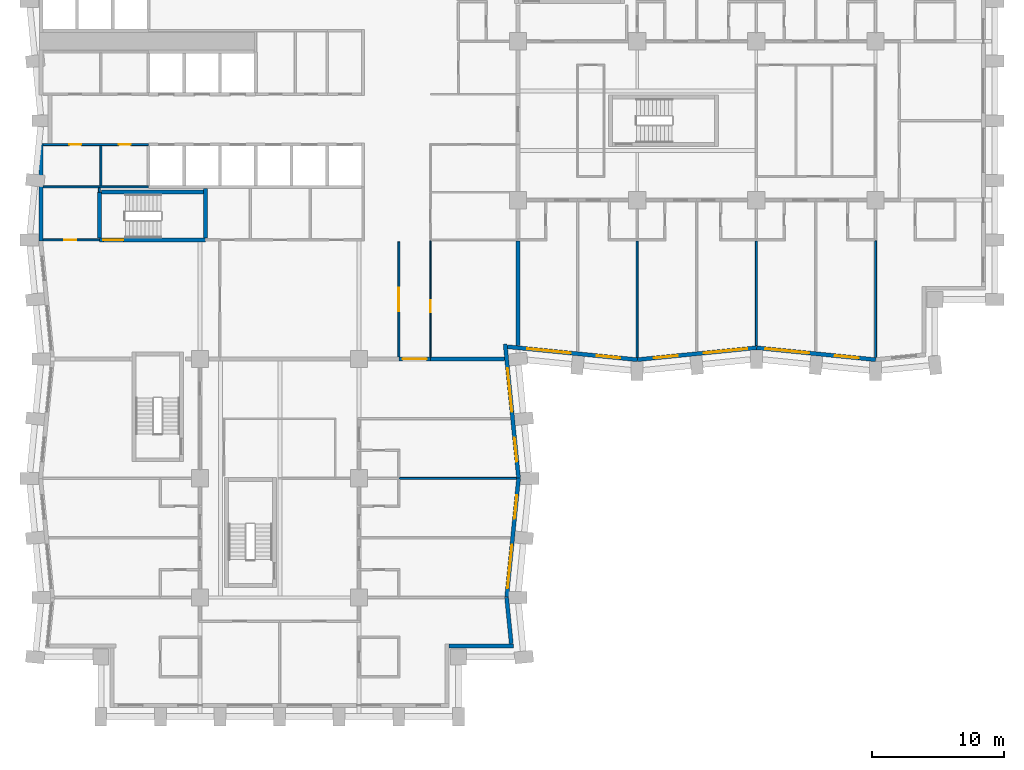
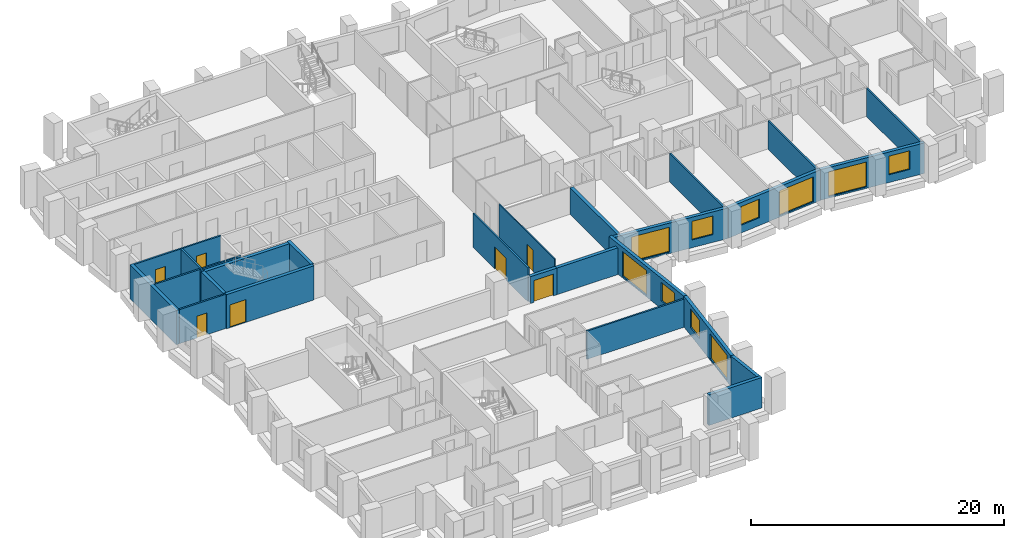
# One storey, part 5 of 13: 26 walls, 10 windows, 7 doors, 17 openings.
"""IFC4 building model written with IfcOpenShell, lengths in metres."""

import ifcopenshell
import ifcopenshell.guid

model = None  # the IFC model being written
_history = None  # IfcOwnerHistory: only IFC2X3 demands one
_inside = {}  # id of a spatial element -> (the spatial element, [elements in it])
_under = {}  # id of a project, library or spatial element -> (it, [spatial elements below it])
_declared = {}  # id of a project -> (the project, [libraries it declares])
_typed = {}  # id of a type object -> (the type object, [elements of that type])
_made_of = {}  # id of a material, layer set ... -> (it, [elements and type objects made of it])


def new_model(schema):
    """Start an empty IFC model of exactly this schema.

    Asked for "IFC4X3", IfcOpenShell would pick the latest addendum, in which some entities
    have other attributes; the version numbers below select the first issue.
    IFC2X3 requires an IfcOwnerHistory on every rooted entity: one is made here for all.
    """
    global model, _history
    if schema == "IFC4X3":
        model = ifcopenshell.file(schema_version=(4, 3, 0, 0))
    else:
        model = ifcopenshell.file(schema=schema)
    _inside.clear()
    _under.clear()
    _declared.clear()
    _typed.clear()
    _made_of.clear()
    _history = None
    if model.schema == "IFC2X3":
        org = make("IfcOrganization", Name="unknown")
        user = make(
            "IfcPersonAndOrganization",
            ThePerson=make("IfcPerson", FamilyName="unknown"),
            TheOrganization=org,
        )
        app = make(
            "IfcApplication",
            ApplicationDeveloper=org,
            Version="unknown",
            ApplicationFullName="unknown",
            ApplicationIdentifier="unknown",
        )
        _history = make(
            "IfcOwnerHistory",
            OwningUser=user,
            OwningApplication=app,
            ChangeAction="ADDED",
            CreationDate=0,
        )
    return model


def make(cls, **values):
    """One entity of the class cls with the attributes given. An attribute that is None is left unset."""
    return model.create_entity(
        cls, **{name: value for name, value in values.items() if value is not None}
    )


def rooted(cls, **values):
    """An entity with a GlobalId (a new one), such as an element, a storey or a relation."""
    return make(cls, GlobalId=ifcopenshell.guid.new(), OwnerHistory=_history, **values)


def si_unit(unit_type, name, prefix=None):
    """IfcSIUnit, for example si_unit("LENGTHUNIT", "METRE", prefix="MILLI")."""
    return make("IfcSIUnit", UnitType=unit_type, Prefix=prefix, Name=name)


def assignment(units):
    """IfcUnitAssignment: the units of a project."""
    return None if units is None else make("IfcUnitAssignment", Units=units)


def point(xyz):
    """IfcCartesianPoint."""
    return None if xyz is None else make("IfcCartesianPoint", Coordinates=xyz)


def direction(xyz):
    """IfcDirection."""
    return None if xyz is None else make("IfcDirection", DirectionRatios=xyz)


def frame(location, z_axis=None, x_axis=None):
    """IfcAxis2Placement3D, a coordinate frame: its origin and axes. An axis left out is left unset."""
    return make(
        "IfcAxis2Placement3D",
        Location=point(location),
        Axis=direction(z_axis),
        RefDirection=direction(x_axis),
    )


def frame_2d(location, x_axis=None):
    """IfcAxis2Placement2D, a coordinate frame in the plane: its origin and x axis."""
    return make(
        "IfcAxis2Placement2D", Location=point(location), RefDirection=direction(x_axis)
    )


def origin():
    """The frame at (0, 0, 0) with its axes left unset."""
    return frame((0.0, 0.0, 0.0))


def place(relative_to, where):
    """IfcLocalPlacement: puts the frame where relative to a parent placement (None: the world)."""
    return make(
        "IfcLocalPlacement", PlacementRelTo=relative_to, RelativePlacement=where
    )


def context(
    kind, dimensions, precision=None, world=None, true_north=None, identifier=None
):
    """IfcGeometricRepresentationContext, for example the 3D "Model" context."""
    return make(
        "IfcGeometricRepresentationContext",
        ContextIdentifier=identifier,
        ContextType=kind,
        CoordinateSpaceDimension=dimensions,
        Precision=precision,
        WorldCoordinateSystem=world,
        TrueNorth=true_north,
    )


def subcontext(parent, identifier, kind, view, scale=None):
    """IfcGeometricRepresentationSubContext, for example "Body" below "Model"."""
    return make(
        "IfcGeometricRepresentationSubContext",
        ContextIdentifier=identifier,
        ContextType=kind,
        ParentContext=parent,
        TargetScale=scale,
        TargetView=view,
    )


def project(units=None, contexts=None):
    """IfcProject with its units and contexts."""
    return rooted(
        "IfcProject",
        Name="project",
        RepresentationContexts=contexts,
        UnitsInContext=assignment(units),
    )


def spatial(cls, under=None, at=None, **own):
    """A site, building, storey or space (cls), placed at a placement, below another one or the project."""
    s = rooted(cls, ObjectPlacement=at, **own)
    if under is not None:
        _under.setdefault(under.id(), (under, []))[1].append(s)
    return s


def profile(cls, at=None, kind="AREA", **sizes):
    """A parametric profile (cls). Its sizes go by their IFC names, for example OverallWidth=200.0."""
    return make(cls, ProfileType=kind, Position=at, **sizes)


def rectangle(**sizes):
    """IfcRectangleProfileDef."""
    return profile("IfcRectangleProfileDef", **sizes)


def extrude(swept, where, along, depth):
    """IfcExtrudedAreaSolid: the profile swept, set in the frame where, extruded along a direction by depth."""
    return make(
        "IfcExtrudedAreaSolid",
        SweptArea=swept,
        Position=where,
        ExtrudedDirection=direction(along),
        Depth=depth,
    )


def shape(context_of_items, identifier, shape_type, items):
    """IfcShapeRepresentation: the items that make up one representation, for example the "Body"."""
    return make(
        "IfcShapeRepresentation",
        ContextOfItems=context_of_items,
        RepresentationIdentifier=identifier,
        RepresentationType=shape_type,
        Items=items,
    )


def material(Name=None, Category=None):
    """IfcMaterial."""
    return make("IfcMaterial", Name=Name, Category=Category)


def layer(
    of_material, thickness, ventilated=None, Name=None, Category=None, Priority=None
):
    """IfcMaterialLayer: one layer of a wall or slab, of a material (None: an air gap)."""
    return make(
        "IfcMaterialLayer",
        Material=of_material,
        LayerThickness=thickness,
        IsVentilated=ventilated,
        Name=Name,
        Category=Category,
        Priority=Priority,
    )


def layer_set(layers, Name=None):
    """IfcMaterialLayerSet."""
    return make("IfcMaterialLayerSet", MaterialLayers=layers, LayerSetName=Name)


def made_of(thing, what):
    """Note that an element or type object is made of a material, layer set ...; save() writes the relation."""
    if what is not None:
        _made_of.setdefault(what.id(), (what, []))[1].append(thing)
    return thing


def type_object(cls, material=None, **own):
    """A type object (cls), such as IfcWallType, which elements share."""
    return made_of(rooted(cls, **own), material)


def element(
    cls,
    number,
    at=None,
    inside=None,
    cuts=None,
    type_object=None,
    material=None,
    context=None,
    identifier="Body",
    shape_type=None,
    held_by="IfcProductDefinitionShape",
    body=None,
    shapes=None,
    **own,
):
    """One element of the class cls, such as IfcWall. Its Tag is "e" and its number.

    at: its placement. inside: the storey or other place that contains it. cuts: it is an
    opening in that element (IfcRelVoidsElement). A single representation is given by context,
    identifier, shape_type and body (its items); several are given by shapes. held_by: the class
    of the entity that holds the representations. save() writes the other relations.
    """
    e = rooted(cls, Tag="e%d" % number, ObjectPlacement=at, **own)
    if body is not None:
        shapes = [shape(context, identifier, shape_type, body)]
    if shapes is not None:
        e.Representation = make(held_by, Representations=shapes)
    if inside is not None:
        _inside.setdefault(inside.id(), (inside, []))[1].append(e)
    if cuts is not None:
        rooted(
            "IfcRelVoidsElement", RelatingBuildingElement=cuts, RelatedOpeningElement=e
        )
    if type_object is not None:
        _typed.setdefault(type_object.id(), (type_object, []))[1].append(e)
    return made_of(e, material)


def fill(opening, filler):
    """IfcRelFillsElement: the door or window that sits in an opening."""
    return rooted(
        "IfcRelFillsElement",
        RelatingOpeningElement=opening,
        RelatedBuildingElement=filler,
    )


def aggregate(whole, parts):
    """IfcRelAggregates: a whole, such as a stair, and the parts it consists of."""
    return rooted("IfcRelAggregates", RelatingObject=whole, RelatedObjects=parts)


def save(model, path):
    """Write the relations noted so far, then the file.

    IfcRelAggregates (storeys below a building ...), IfcRelContainedInSpatialStructure (elements
    in a storey), IfcRelDefinesByType, IfcRelAssociatesMaterial and IfcRelDeclares: one each for
    every whole, place, type object, material and project.
    """
    for whole, parts in _under.values():
        aggregate(whole, parts)
    for where, things in _inside.values():
        rooted(
            "IfcRelContainedInSpatialStructure",
            RelatedElements=things,
            RelatingStructure=where,
        )
    for kind, things in _typed.values():
        rooted("IfcRelDefinesByType", RelatedObjects=things, RelatingType=kind)
    for what, things in _made_of.values():
        rooted("IfcRelAssociatesMaterial", RelatedObjects=things, RelatingMaterial=what)
    for by, libraries in _declared.values():
        rooted("IfcRelDeclares", RelatingContext=by, RelatedDefinitions=libraries)
    model.write(path)


model = new_model("IFC4")

# Units and contexts
model_context = context("Model", 3, precision=1e-05, world=origin(), true_north=direction((0.0, 1.0)))
body_context = subcontext(model_context, "Body", "Model", "MODEL_VIEW")
ifc_project = project(units=[si_unit("LENGTHUNIT", "METRE"), si_unit("AREAUNIT", "SQUARE_METRE"), si_unit("VOLUMEUNIT", "CUBIC_METRE"), si_unit("PLANEANGLEUNIT", "RADIAN"), si_unit("MASSUNIT", "GRAM", prefix="KILO")], contexts=[model_context])

# Site, building, storey
site_placement = place(None, origin())
site = spatial("IfcSite", under=ifc_project, at=site_placement, CompositionType="ELEMENT")
building_placement = place(site_placement, origin())
building = spatial("IfcBuilding", under=site, at=building_placement, Name="Brondeck Convention Tower", CompositionType="ELEMENT")
storey_placement = place(building_placement, frame((0.0, 0.0, 41.10009765625)))
storey = spatial("IfcBuildingStorey", under=building, at=storey_placement, Name="L07", CompositionType="ELEMENT", Elevation=41.10009765625)

# Wall, opening, door
ifc_material_1 = material(Name="Concrete compartment wall C30/37", Category="concrete")
ifc_layer_1 = layer(ifc_material_1, 0.300048828125)
ifc_layer_set_1 = layer_set([ifc_layer_1], Name="Compartment wall 300")
wall_type_1 = type_object("IfcWallType", Name="Compartment wall 300", PredefinedType="PARTITIONING", material=ifc_layer_set_1)
wall_1_placement = place(storey_placement, frame((29.39990234375, 27.0, 0.0), z_axis=(0.0, 0.0, 1.0), x_axis=(-1.0, 0.0, 0.0)))
wall_1 = element("IfcWall", 1, at=wall_1_placement, inside=storey, type_object=wall_type_1, Name="FLR-L07-W056", PredefinedType="PARTITIONING", context=body_context, shape_type="SweptSolid", body=[
    extrude(rectangle(XDim=2.39990234375, YDim=0.300048828125, at=frame_2d((1.199951171875, 0.0))), origin(), (0.0, 0.0, 1.0), 2.579833984375),
])
opening_1_placement = place(wall_1_placement, frame((0.300048828125, 0.0, 0.0)))
opening_1 = element("IfcOpeningElement", 2, at=opening_1_placement, cuts=wall_1, Name="Opening H1-055", PredefinedType="OPENING", context=body_context, shape_type="SweptSolid", body=[
    extrude(rectangle(XDim=1.800048828125, YDim=2.10009765625, at=frame_2d((0.89990234375, 1.050048828125))), frame((0.0, 0.159912109375, 0.0), z_axis=(0.0, -1.0, 0.0), x_axis=(1.0, 0.0, 0.0)), (0.0, 0.0, 1.0), 0.320068359375),
])
ifc_material_2 = material(Name="Steel fire door pair", Category="steel")
door_type_1 = type_object("IfcDoorType", Name="Fire door pair 1800", OperationType="DOUBLE_DOOR_SINGLE_SWING", PredefinedType="DOOR", material=ifc_material_2)
door_1_placement = place(opening_1_placement, origin())
door_1 = element("IfcDoor", 3, at=door_1_placement, inside=storey, type_object=door_type_1, Name="Door H1-055", OperationType="DOUBLE_DOOR_SINGLE_SWING", OverallHeight=2.10009765625, OverallWidth=1.800048828125, PredefinedType="DOOR", context=body_context, shape_type="SweptSolid", body=[
    extrude(rectangle(XDim=1.800048828125, YDim=2.10009765625, at=frame_2d((0.89990234375, 1.050048828125))), frame((0.0, 0.02490234375, 0.0), z_axis=(0.0, -1.0, 0.0), x_axis=(1.0, 0.0, 0.0)), (0.0, 0.0, 1.0), 0.050048828125),
])
fill(opening_1, door_1)

# Walls
wall_2_placement = place(storey_placement, frame((34.97509765625, 27.0, 0.0), z_axis=(0.0, 0.0, 1.0), x_axis=(-1.0, 0.0, 0.0)))
element("IfcWall", 4, at=wall_2_placement, inside=storey, type_object=wall_type_1, Name="FLR-L07-W057", PredefinedType="PARTITIONING", context=body_context, shape_type="SweptSolid", body=[
    extrude(rectangle(XDim=5.5751953125, YDim=0.300048828125, at=frame_2d((2.78759765625, 0.0))), origin(), (0.0, 0.0, 1.0), 2.579833984375),
])
wall_3_placement = place(storey_placement, frame((36.0, 35.925048828125, 0.0), z_axis=(0.0, 0.0, 1.0), x_axis=(0.0, -1.0, 0.0)))
element("IfcWall", 5, at=wall_3_placement, inside=storey, type_object=wall_type_1, Name="FLR-L07-W060", PredefinedType="PARTITIONING", context=body_context, shape_type="SweptSolid", body=[
    extrude(rectangle(XDim=7.900146484375, YDim=0.300048828125, at=frame_2d((3.9501953125, 0.0))), origin(), (0.0, 0.0, 1.0), 2.579833984375),
])
ifc_material_3 = material(Name="Concrete C80/95", Category="concrete")
ifc_layer_2 = layer(ifc_material_3, 0.300048828125)
ifc_layer_set_2 = layer_set([ifc_layer_2], Name="Core outer wall 300 Concrete C80/95")
wall_type_2 = type_object("IfcWallType", Name="Core outer wall 300 Concrete C80/95", PredefinedType="SHEAR", material=ifc_layer_set_2)
wall_4_placement = place(storey_placement, frame((0.0, 35.925048828125, 0.0), z_axis=(0.0, 0.0, 1.0), x_axis=(0.0, 1.0, 0.0)))
element("IfcWall", 6, at=wall_4_placement, inside=storey, type_object=wall_type_2, Name="L07 core wall", PredefinedType="SHEAR", context=body_context, shape_type="SweptSolid", body=[
    extrude(rectangle(XDim=7.349853515625, YDim=0.300048828125, at=frame_2d((3.6748046875, 0.0))), origin(), (0.0, 0.0, 1.0), 3.2998046875),
])

# Wall, opening, door
ifc_material_4 = material(Name="Fire-rated gypsum board partition")
ifc_layer_3 = layer(ifc_material_4, 0.14990234375)
ifc_layer_set_3 = layer_set([ifc_layer_3], Name="Core partition 150 EI 60")
wall_type_3 = type_object("IfcWallType", Name="Core partition 150 EI 60", PredefinedType="PARTITIONING", material=ifc_layer_set_3)
wall_5_placement = place(storey_placement, frame((0.14990234375, 36.0, 0.0), z_axis=(0.0, 0.0, 1.0), x_axis=(1.0, 0.0, 0.0)))
wall_5 = element("IfcWall", 7, at=wall_5_placement, inside=storey, type_object=wall_type_3, Name="L07 core wall", PredefinedType="PARTITIONING", context=body_context, shape_type="SweptSolid", body=[
    extrude(rectangle(XDim=4.25, YDim=0.14990234375, at=frame_2d((2.125, 0.0))), origin(), (0.0, 0.0, 1.0), 3.2998046875),
])
opening_2_placement = place(wall_5_placement, frame((1.60009765625, 0.0, 0.0)))
opening_2 = element("IfcOpeningElement", 8, at=opening_2_placement, cuts=wall_5, Name="Opening C08-06", PredefinedType="OPENING", context=body_context, shape_type="SweptSolid", body=[
    extrude(rectangle(XDim=0.89990234375, YDim=2.10009765625, at=frame_2d((0.449951171875, 1.050048828125))), frame((0.0, 0.0849609375, 0.0), z_axis=(0.0, -1.0, 0.0), x_axis=(1.0, 0.0, 0.0)), (0.0, 0.0, 1.0), 0.169921875),
])
ifc_material_5 = material(Name="Steel fire door", Category="steel")
door_type_2 = type_object("IfcDoorType", Name="Room door 900x2100 EI 60", OperationType="NOTDEFINED", PredefinedType="DOOR", material=ifc_material_5)
door_2_placement = place(opening_2_placement, origin())
door_2 = element("IfcDoor", 9, at=door_2_placement, inside=storey, type_object=door_type_2, Name="L07 Room door FRW-1", OperationType="SINGLE_SWING_LEFT", OverallHeight=2.10009765625, OverallWidth=0.89990234375, PredefinedType="DOOR", context=body_context, shape_type="SweptSolid", body=[
    extrude(rectangle(XDim=0.89990234375, YDim=2.10009765625, at=frame_2d((0.449951171875, 1.050048828125))), frame((0.0, 0.02490234375, 0.0), z_axis=(0.0, -1.0, 0.0), x_axis=(1.0, 0.0, 0.0)), (0.0, 0.0, 1.0), 0.050048828125),
])
fill(opening_2, door_2)

# Wall
wall_6_placement = place(storey_placement, frame((0.14990234375, 40.0, 0.0), z_axis=(0.0, 0.0, 1.0), x_axis=(1.0, 0.0, 0.0)))
element("IfcWall", 10, at=wall_6_placement, inside=storey, type_object=wall_type_3, Name="L07 core wall", PredefinedType="PARTITIONING", context=body_context, shape_type="SweptSolid", body=[
    extrude(rectangle(XDim=7.9501953125, YDim=0.14990234375, at=frame_2d((3.97509765625, 0.0))), origin(), (0.0, 0.0, 1.0), 3.2998046875),
])

# Wall, openings, doors
wall_7_placement = place(storey_placement, frame((0.14990234375, 43.199951171875, 0.0), z_axis=(0.0, 0.0, 1.0), x_axis=(1.0, 0.0, 0.0)))
wall_7 = element("IfcWall", 11, at=wall_7_placement, inside=storey, type_object=wall_type_3, Name="L07 core wall", PredefinedType="PARTITIONING", context=body_context, shape_type="SweptSolid", body=[
    extrude(rectangle(XDim=7.9501953125, YDim=0.14990234375, at=frame_2d((3.97509765625, 0.0))), origin(), (0.0, 0.0, 1.0), 3.2998046875),
])
opening_3_placement = place(wall_7_placement, frame((1.97509765625, 0.0, 0.0)))
opening_3 = element("IfcOpeningElement", 12, at=opening_3_placement, cuts=wall_7, Name="Opening C08-11", PredefinedType="OPENING", context=body_context, shape_type="SweptSolid", body=[
    extrude(rectangle(XDim=0.89990234375, YDim=2.10009765625, at=frame_2d((0.449951171875, 1.050048828125))), frame((0.0, 0.0849609375, 0.0), z_axis=(0.0, -1.0, 0.0), x_axis=(1.0, 0.0, 0.0)), (0.0, 0.0, 1.0), 0.169921875),
])
opening_4_placement = place(wall_7_placement, frame((5.699951171875, 0.0, 0.0)))
opening_4 = element("IfcOpeningElement", 13, at=opening_4_placement, cuts=wall_7, Name="Opening C08-12", PredefinedType="OPENING", context=body_context, shape_type="SweptSolid", body=[
    extrude(rectangle(XDim=0.89990234375, YDim=2.10009765625, at=frame_2d((0.449951171875, 1.050048828125))), frame((0.0, 0.0849609375, 0.0), z_axis=(0.0, -1.0, 0.0), x_axis=(1.0, 0.0, 0.0)), (0.0, 0.0, 1.0), 0.169921875),
])
door_3_placement = place(opening_3_placement, origin())
door_3 = element("IfcDoor", 14, at=door_3_placement, inside=storey, type_object=door_type_2, Name="L07 Room door FZ-S-0-1", OperationType="SINGLE_SWING_LEFT", OverallHeight=2.10009765625, OverallWidth=0.89990234375, PredefinedType="DOOR", context=body_context, shape_type="SweptSolid", body=[
    extrude(rectangle(XDim=0.89990234375, YDim=2.10009765625, at=frame_2d((0.449951171875, 1.050048828125))), frame((0.0, 0.02490234375, 0.0), z_axis=(0.0, -1.0, 0.0), x_axis=(1.0, 0.0, 0.0)), (0.0, 0.0, 1.0), 0.050048828125),
])
fill(opening_3, door_3)
door_4_placement = place(opening_4_placement, origin())
door_4 = element("IfcDoor", 15, at=door_4_placement, inside=storey, type_object=door_type_2, Name="L07 Room door FZ-S-0-2", OperationType="SINGLE_SWING_RIGHT", OverallHeight=2.10009765625, OverallWidth=0.89990234375, PredefinedType="DOOR", context=body_context, shape_type="SweptSolid", body=[
    extrude(rectangle(XDim=0.89990234375, YDim=2.10009765625, at=frame_2d((0.449951171875, 1.050048828125))), frame((0.0, 0.02490234375, 0.0), z_axis=(0.0, -1.0, 0.0), x_axis=(1.0, 0.0, 0.0)), (0.0, 0.0, 1.0), 0.050048828125),
])
fill(opening_4, door_4)

# Walls
wall_8_placement = place(storey_placement, frame((4.39990234375, 39.60009765625, 0.0), z_axis=(0.0, 0.0, 1.0), x_axis=(0.0, 1.0, 0.0)))
element("IfcWall", 16, at=wall_8_placement, inside=storey, type_object=wall_type_3, Name="L07 core wall", PredefinedType="PARTITIONING", context=body_context, shape_type="SweptSolid", body=[
    extrude(rectangle(XDim=0.324951171875, YDim=0.14990234375, at=frame_2d((0.16259765625, 0.0))), origin(), (0.0, 0.0, 1.0), 3.2998046875),
])
wall_9_placement = place(storey_placement, frame((4.5, 40.074951171875, 0.0), z_axis=(0.0, 0.0, 1.0), x_axis=(0.0, 1.0, 0.0)))
element("IfcWall", 17, at=wall_9_placement, inside=storey, type_object=wall_type_3, Name="L07 core wall", PredefinedType="PARTITIONING", context=body_context, shape_type="SweptSolid", body=[
    extrude(rectangle(XDim=3.050048828125, YDim=0.14990234375, at=frame_2d((1.52490234375, 0.0))), origin(), (0.0, 0.0, 1.0), 3.2998046875),
])
ifc_material_6 = material(Name="Precast concrete C50/60 bronze finish", Category="concrete")
ifc_layer_4 = layer(ifc_material_6, 0.070068359375, Name="Bronze precast facing")
ifc_material_7 = material(Name="Mineral wool")
ifc_layer_5 = layer(ifc_material_7, 0.159912109375, Name="Insulation")
ifc_material_8 = material(Name="Concrete C35/45", Category="concrete")
ifc_layer_6 = layer(ifc_material_8, 0.070068359375, Name="Backing")
ifc_layer_set_4 = layer_set([ifc_layer_4, ifc_layer_5, ifc_layer_6], Name="External infill wall, precast concrete C50/60 bronze facing")
wall_type_4 = type_object("IfcWallType", Name="External infill wall, precast concrete C50/60 bronze facing", PredefinedType="SOLIDWALL", material=ifc_layer_set_4)
wall_10_placement = place(storey_placement, frame((35.676513671875, 5.35009765625, 0.0), z_axis=(0.0, 0.0, 1.0), x_axis=(-1.0, 0.0, 0.0)))
element("IfcWall", 18, at=wall_10_placement, inside=storey, type_object=wall_type_4, Name="ENV-EW-L07-P0-NC-SEB0-02", PredefinedType="SOLIDWALL", context=body_context, shape_type="SweptSolid", body=[
    extrude(rectangle(XDim=4.87646484375, YDim=0.300048828125, at=frame_2d((2.438232421875, 0.0))), origin(), (0.0, 0.0, 1.0), 2.949951171875),
])
wall_11_placement = place(storey_placement, frame((35.144287109375, 9.014892578125, 0.0), z_axis=(0.0, 0.0, 1.0), x_axis=(0.099462600847, -0.995041301169, 0.0)))
element("IfcWall", 19, at=wall_11_placement, inside=storey, type_object=wall_type_4, Name="ENV-EW-L07-P0-B-E-04", PredefinedType="SOLIDWALL", context=body_context, shape_type="SweptSolid", body=[
    extrude(rectangle(XDim=3.52734375, YDim=0.300048828125, at=frame_2d((1.763671875, 0.0))), origin(), (0.0, 0.0, 1.0), 2.949951171875),
])

# Wall, openings, windows
wall_12_placement = place(storey_placement, frame((36.04736328125, 18.014892578125, 0.0), z_axis=(0.0, 0.0, 1.0), x_axis=(-0.099522457379, -0.995035316196, 0.0)))
wall_12 = element("IfcWall", 20, at=wall_12_placement, inside=storey, type_object=wall_type_4, Name="ENV-EW-L07-P0-B-E-03", PredefinedType="SOLIDWALL", context=body_context, shape_type="SweptSolid", body=[
    extrude(rectangle(XDim=9.030029296875, YDim=0.300048828125, at=frame_2d((4.51513671875, 0.0))), origin(), (0.0, 0.0, 1.0), 2.949951171875),
])
opening_5_placement = place(wall_12_placement, frame((1.291259765625, 0.0, 0.75)))
opening_5 = element("IfcOpeningElement", 21, at=opening_5_placement, cuts=wall_12, Name="Opening W10", PredefinedType="OPENING", context=body_context, shape_type="SweptSolid", body=[
    extrude(rectangle(XDim=1.800048828125, YDim=1.800048828125, at=frame_2d((0.89990234375, 0.89990234375))), frame((0.0, 0.159912109375, 0.0), z_axis=(0.0, -1.0, 0.0), x_axis=(1.0, 0.0, 0.0)), (0.0, 0.0, 1.0), 0.320068359375),
])
opening_6_placement = place(wall_12_placement, frame((5.063720703125, 0.0, 0.14990234375)))
opening_6 = element("IfcOpeningElement", 22, at=opening_6_placement, cuts=wall_12, Name="Opening W9", PredefinedType="OPENING", context=body_context, shape_type="SweptSolid", body=[
    extrude(rectangle(XDim=3.300048828125, YDim=2.39990234375, at=frame_2d((1.64990234375, 1.199951171875))), frame((0.0, 0.159912109375, 0.0), z_axis=(0.0, -1.0, 0.0), x_axis=(1.0, 0.0, 0.0)), (0.0, 0.0, 1.0), 0.320068359375),
])
ifc_material_9 = material(Name="Bronze tinted double glazing", Category="glass")
window_type_1 = type_object("IfcWindowType", Name="Glazed flute window, bronze tinted", PartitioningType="SINGLE_PANEL", PredefinedType="WINDOW", material=ifc_material_9)
window_1_placement = place(opening_6_placement, origin())
window_1 = element("IfcWindow", 23, at=window_1_placement, inside=storey, type_object=window_type_1, Name="ENV-WN-L07-P0-B-E-03", OverallHeight=2.39990234375, OverallWidth=3.300048828125, PartitioningType="SINGLE_PANEL", PredefinedType="WINDOW", context=body_context, shape_type="SweptSolid", body=[
    extrude(rectangle(XDim=3.300048828125, YDim=2.39990234375, at=frame_2d((1.64990234375, 1.199951171875))), frame((0.0, 0.030029296875, 0.0), z_axis=(0.0, -1.0, 0.0), x_axis=(1.0, 0.0, 0.0)), (0.0, 0.0, 1.0), 0.06005859375),
])
fill(opening_6, window_1)
window_type_2 = type_object("IfcWindowType", Name="Punched window, bronze tinted", PartitioningType="SINGLE_PANEL", PredefinedType="WINDOW", material=ifc_material_9)
window_2_placement = place(opening_5_placement, origin())
window_2 = element("IfcWindow", 24, at=window_2_placement, inside=storey, type_object=window_type_2, Name="ENV-WN-L07-P0-B-E-02", OverallHeight=1.800048828125, OverallWidth=1.800048828125, PartitioningType="SINGLE_PANEL", PredefinedType="WINDOW", context=body_context, shape_type="SweptSolid", body=[
    extrude(rectangle(XDim=1.800048828125, YDim=1.800048828125, at=frame_2d((0.89990234375, 0.89990234375))), frame((0.0, 0.030029296875, 0.0), z_axis=(0.0, -1.0, 0.0), x_axis=(1.0, 0.0, 0.0)), (0.0, 0.0, 1.0), 0.06005859375),
])
fill(opening_5, window_2)

wall_13_placement = place(storey_placement, frame((35.03271484375, 28.131591796875, 0.0), z_axis=(0.0, 0.0, 1.0), x_axis=(0.099487051997, -0.995038856771, 0.0)))
wall_13 = element("IfcWall", 25, at=wall_13_placement, inside=storey, type_object=wall_type_4, Name="ENV-EW-L07-P0-B-E-01", PredefinedType="SOLIDWALL", context=body_context, shape_type="SweptSolid", body=[
    extrude(rectangle(XDim=10.152099609375, YDim=0.300048828125, at=frame_2d((5.076171875, 0.0))), origin(), (0.0, 0.0, 1.0), 2.949951171875),
])
opening_7_placement = place(wall_13_placement, frame((1.83349609375, 0.0, 0.14990234375)))
opening_7 = element("IfcOpeningElement", 26, at=opening_7_placement, cuts=wall_13, Name="Opening W9", PredefinedType="OPENING", context=body_context, shape_type="SweptSolid", body=[
    extrude(rectangle(XDim=3.300048828125, YDim=2.39990234375, at=frame_2d((1.64990234375, 1.199951171875))), frame((0.0, 0.159912109375, 0.0), z_axis=(0.0, -1.0, 0.0), x_axis=(1.0, 0.0, 0.0)), (0.0, 0.0, 1.0), 0.320068359375),
])
opening_8_placement = place(wall_13_placement, frame((7.10595703125, 0.0, 0.75)))
opening_8 = element("IfcOpeningElement", 27, at=opening_8_placement, cuts=wall_13, Name="Opening W10", PredefinedType="OPENING", context=body_context, shape_type="SweptSolid", body=[
    extrude(rectangle(XDim=1.800048828125, YDim=1.800048828125, at=frame_2d((0.89990234375, 0.89990234375))), frame((0.0, 0.159912109375, 0.0), z_axis=(0.0, -1.0, 0.0), x_axis=(1.0, 0.0, 0.0)), (0.0, 0.0, 1.0), 0.320068359375),
])
window_3_placement = place(opening_7_placement, origin())
window_3 = element("IfcWindow", 28, at=window_3_placement, inside=storey, type_object=window_type_1, Name="ENV-WN-L07-P0-B-E-00", OverallHeight=2.39990234375, OverallWidth=3.300048828125, PartitioningType="SINGLE_PANEL", PredefinedType="WINDOW", context=body_context, shape_type="SweptSolid", body=[
    extrude(rectangle(XDim=3.300048828125, YDim=2.39990234375, at=frame_2d((1.64990234375, 1.199951171875))), frame((0.0, 0.030029296875, 0.0), z_axis=(0.0, -1.0, 0.0), x_axis=(1.0, 0.0, 0.0)), (0.0, 0.0, 1.0), 0.06005859375),
])
fill(opening_7, window_3)
window_4_placement = place(opening_8_placement, origin())
window_4 = element("IfcWindow", 29, at=window_4_placement, inside=storey, type_object=window_type_2, Name="ENV-WN-L07-P0-B-E-01", OverallHeight=1.800048828125, OverallWidth=1.800048828125, PartitioningType="SINGLE_PANEL", PredefinedType="WINDOW", context=body_context, shape_type="SweptSolid", body=[
    extrude(rectangle(XDim=1.800048828125, YDim=1.800048828125, at=frame_2d((0.89990234375, 0.89990234375))), frame((0.0, 0.030029296875, 0.0), z_axis=(0.0, -1.0, 0.0), x_axis=(1.0, 0.0, 0.0)), (0.0, 0.0, 1.0), 0.06005859375),
])
fill(opening_8, window_4)

wall_14_placement = place(storey_placement, frame((45.014892578125, 26.95263671875, 0.0), z_axis=(0.0, 0.0, 1.0), x_axis=(-0.995036699177, 0.099508629231, 0.0)))
wall_14 = element("IfcWall", 30, at=wall_14_placement, inside=storey, type_object=wall_type_4, Name="ENV-EW-L07-P0-A-S-00", PredefinedType="SOLIDWALL", context=body_context, shape_type="SweptSolid", body=[
    extrude(rectangle(XDim=9.845703125, YDim=0.300048828125, at=frame_2d((4.9228515625, 0.0))), origin(), (0.0, 0.0, 1.0), 2.949951171875),
])
opening_9_placement = place(wall_14_placement, frame((1.291259765625, 0.0, 0.75)))
opening_9 = element("IfcOpeningElement", 31, at=opening_9_placement, cuts=wall_14, Name="Opening W10", PredefinedType="OPENING", context=body_context, shape_type="SweptSolid", body=[
    extrude(rectangle(XDim=1.800048828125, YDim=1.800048828125, at=frame_2d((0.89990234375, 0.89990234375))), frame((0.0, 0.159912109375, 0.0), z_axis=(0.0, -1.0, 0.0), x_axis=(1.0, 0.0, 0.0)), (0.0, 0.0, 1.0), 0.320068359375),
])
opening_10_placement = place(wall_14_placement, frame((5.063720703125, 0.0, 0.14990234375)))
opening_10 = element("IfcOpeningElement", 32, at=opening_10_placement, cuts=wall_14, Name="Opening W9", PredefinedType="OPENING", context=body_context, shape_type="SweptSolid", body=[
    extrude(rectangle(XDim=3.300048828125, YDim=2.39990234375, at=frame_2d((1.64990234375, 1.199951171875))), frame((0.0, 0.159912109375, 0.0), z_axis=(0.0, -1.0, 0.0), x_axis=(1.0, 0.0, 0.0)), (0.0, 0.0, 1.0), 0.320068359375),
])
window_5_placement = place(opening_10_placement, origin())
window_5 = element("IfcWindow", 33, at=window_5_placement, inside=storey, type_object=window_type_1, Name="ENV-WN-L07-P0-A-S-00", OverallHeight=2.39990234375, OverallWidth=3.300048828125, PartitioningType="SINGLE_PANEL", PredefinedType="WINDOW", context=body_context, shape_type="SweptSolid", body=[
    extrude(rectangle(XDim=3.300048828125, YDim=2.39990234375, at=frame_2d((1.64990234375, 1.199951171875))), frame((0.0, 0.030029296875, 0.0), z_axis=(0.0, -1.0, 0.0), x_axis=(1.0, 0.0, 0.0)), (0.0, 0.0, 1.0), 0.06005859375),
])
fill(opening_10, window_5)
window_6_placement = place(opening_9_placement, origin())
window_6 = element("IfcWindow", 34, at=window_6_placement, inside=storey, type_object=window_type_2, Name="ENV-WN-L07-P0-A-S-01", OverallHeight=1.800048828125, OverallWidth=1.800048828125, PartitioningType="SINGLE_PANEL", PredefinedType="WINDOW", context=body_context, shape_type="SweptSolid", body=[
    extrude(rectangle(XDim=1.800048828125, YDim=1.800048828125, at=frame_2d((0.89990234375, 0.89990234375))), frame((0.0, 0.030029296875, 0.0), z_axis=(0.0, -1.0, 0.0), x_axis=(1.0, 0.0, 0.0)), (0.0, 0.0, 1.0), 0.06005859375),
])
fill(opening_9, window_6)

wall_15_placement = place(storey_placement, frame((54.014892578125, 27.855712890625, 0.0), z_axis=(0.0, 0.0, 1.0), x_axis=(-0.995037993253, -0.099495688264, 0.0)))
wall_15 = element("IfcWall", 35, at=wall_15_placement, inside=storey, type_object=wall_type_4, Name="ENV-EW-L07-P0-A-S-02", PredefinedType="SOLIDWALL", context=body_context, shape_type="SweptSolid", body=[
    extrude(rectangle(XDim=9.030029296875, YDim=0.300048828125, at=frame_2d((4.51513671875, 0.0))), origin(), (0.0, 0.0, 1.0), 2.949951171875),
])
opening_11_placement = place(wall_15_placement, frame((0.711181640625, 0.0, 0.14990234375)))
opening_11 = element("IfcOpeningElement", 36, at=opening_11_placement, cuts=wall_15, Name="Opening W9", PredefinedType="OPENING", context=body_context, shape_type="SweptSolid", body=[
    extrude(rectangle(XDim=3.300048828125, YDim=2.39990234375, at=frame_2d((1.64990234375, 1.199951171875))), frame((0.0, 0.159912109375, 0.0), z_axis=(0.0, -1.0, 0.0), x_axis=(1.0, 0.0, 0.0)), (0.0, 0.0, 1.0), 0.320068359375),
])
opening_12_placement = place(wall_15_placement, frame((5.983642578125, 0.0, 0.75)))
opening_12 = element("IfcOpeningElement", 37, at=opening_12_placement, cuts=wall_15, Name="Opening W10", PredefinedType="OPENING", context=body_context, shape_type="SweptSolid", body=[
    extrude(rectangle(XDim=1.800048828125, YDim=1.800048828125, at=frame_2d((0.89990234375, 0.89990234375))), frame((0.0, 0.159912109375, 0.0), z_axis=(0.0, -1.0, 0.0), x_axis=(1.0, 0.0, 0.0)), (0.0, 0.0, 1.0), 0.320068359375),
])
window_7_placement = place(opening_11_placement, origin())
window_7 = element("IfcWindow", 38, at=window_7_placement, inside=storey, type_object=window_type_1, Name="ENV-WN-L07-P0-A-S-03", OverallHeight=2.39990234375, OverallWidth=3.300048828125, PartitioningType="SINGLE_PANEL", PredefinedType="WINDOW", context=body_context, shape_type="SweptSolid", body=[
    extrude(rectangle(XDim=3.300048828125, YDim=2.39990234375, at=frame_2d((1.64990234375, 1.199951171875))), frame((0.0, 0.030029296875, 0.0), z_axis=(0.0, -1.0, 0.0), x_axis=(1.0, 0.0, 0.0)), (0.0, 0.0, 1.0), 0.06005859375),
])
fill(opening_11, window_7)
window_8_placement = place(opening_12_placement, origin())
window_8 = element("IfcWindow", 39, at=window_8_placement, inside=storey, type_object=window_type_2, Name="ENV-WN-L07-P0-A-S-02", OverallHeight=1.800048828125, OverallWidth=1.800048828125, PartitioningType="SINGLE_PANEL", PredefinedType="WINDOW", context=body_context, shape_type="SweptSolid", body=[
    extrude(rectangle(XDim=1.800048828125, YDim=1.800048828125, at=frame_2d((0.89990234375, 0.89990234375))), frame((0.0, 0.030029296875, 0.0), z_axis=(0.0, -1.0, 0.0), x_axis=(1.0, 0.0, 0.0)), (0.0, 0.0, 1.0), 0.06005859375),
])
fill(opening_12, window_8)

wall_16_placement = place(storey_placement, frame((63.014892578125, 26.95263671875, 0.0), z_axis=(0.0, 0.0, 1.0), x_axis=(-0.995035316196, 0.099522457379, 0.0)))
wall_16 = element("IfcWall", 40, at=wall_16_placement, inside=storey, type_object=wall_type_4, Name="ENV-EW-L07-P0-A-S-04", PredefinedType="SOLIDWALL", context=body_context, shape_type="SweptSolid", body=[
    extrude(rectangle(XDim=9.030029296875, YDim=0.300048828125, at=frame_2d((4.51513671875, 0.0))), origin(), (0.0, 0.0, 1.0), 2.949951171875),
])
opening_13_placement = place(wall_16_placement, frame((1.291259765625, 0.0, 0.75)))
opening_13 = element("IfcOpeningElement", 41, at=opening_13_placement, cuts=wall_16, Name="Opening W10", PredefinedType="OPENING", context=body_context, shape_type="SweptSolid", body=[
    extrude(rectangle(XDim=1.800048828125, YDim=1.800048828125, at=frame_2d((0.89990234375, 0.89990234375))), frame((0.0, 0.159912109375, 0.0), z_axis=(0.0, -1.0, 0.0), x_axis=(1.0, 0.0, 0.0)), (0.0, 0.0, 1.0), 0.320068359375),
])
opening_14_placement = place(wall_16_placement, frame((5.063720703125, 0.0, 0.14990234375)))
opening_14 = element("IfcOpeningElement", 42, at=opening_14_placement, cuts=wall_16, Name="Opening W9", PredefinedType="OPENING", context=body_context, shape_type="SweptSolid", body=[
    extrude(rectangle(XDim=3.300048828125, YDim=2.39990234375, at=frame_2d((1.64990234375, 1.199951171875))), frame((0.0, 0.159912109375, 0.0), z_axis=(0.0, -1.0, 0.0), x_axis=(1.0, 0.0, 0.0)), (0.0, 0.0, 1.0), 0.320068359375),
])
window_9_placement = place(opening_14_placement, origin())
window_9 = element("IfcWindow", 43, at=window_9_placement, inside=storey, type_object=window_type_1, Name="ENV-WN-L07-P0-A-S-04", OverallHeight=2.39990234375, OverallWidth=3.300048828125, PartitioningType="SINGLE_PANEL", PredefinedType="WINDOW", context=body_context, shape_type="SweptSolid", body=[
    extrude(rectangle(XDim=3.300048828125, YDim=2.39990234375, at=frame_2d((1.64990234375, 1.199951171875))), frame((0.0, 0.030029296875, 0.0), z_axis=(0.0, -1.0, 0.0), x_axis=(1.0, 0.0, 0.0)), (0.0, 0.0, 1.0), 0.06005859375),
])
fill(opening_14, window_9)
window_10_placement = place(opening_13_placement, origin())
window_10 = element("IfcWindow", 44, at=window_10_placement, inside=storey, type_object=window_type_2, Name="ENV-WN-L07-P0-A-S-05", OverallHeight=1.800048828125, OverallWidth=1.800048828125, PartitioningType="SINGLE_PANEL", PredefinedType="WINDOW", context=body_context, shape_type="SweptSolid", body=[
    extrude(rectangle(XDim=1.800048828125, YDim=1.800048828125, at=frame_2d((0.89990234375, 0.89990234375))), frame((0.0, 0.030029296875, 0.0), z_axis=(0.0, -1.0, 0.0), x_axis=(1.0, 0.0, 0.0)), (0.0, 0.0, 1.0), 0.06005859375),
])
fill(opening_13, window_10)

# Wall
ifc_material_10 = material(Name="Double gypsum board acoustic wall")
ifc_layer_7 = layer(ifc_material_10, 0.14990234375)
ifc_layer_set_5 = layer_set([ifc_layer_7], Name="Guest room party wall 150")
wall_type_5 = type_object("IfcWallType", Name="Guest room party wall 150", PredefinedType="PARTITIONING", material=ifc_layer_set_5)
wall_17_placement = place(storey_placement, frame((35.875, 18.0, 0.0), z_axis=(0.0, 0.0, 1.0), x_axis=(-1.0, 0.0, 0.0)))
element("IfcWall", 45, at=wall_17_placement, inside=storey, type_object=wall_type_5, Name="FLR-L07-W040", PredefinedType="PARTITIONING", context=body_context, shape_type="SweptSolid", body=[
    extrude(rectangle(XDim=8.875, YDim=0.14990234375, at=frame_2d((4.4375, 0.0))), origin(), (0.0, 0.0, 1.0), 2.72998046875),
])

# Wall, opening, door
wall_18_placement = place(storey_placement, frame((27.0, 27.14990234375, 0.0), z_axis=(0.0, 0.0, 1.0), x_axis=(0.0, 1.0, 0.0)))
wall_18 = element("IfcWall", 46, at=wall_18_placement, inside=storey, type_object=wall_type_5, Name="FLR-L07-W058", PredefinedType="PARTITIONING", context=body_context, shape_type="SweptSolid", body=[
    extrude(rectangle(XDim=8.7001953125, YDim=0.14990234375, at=frame_2d((4.35009765625, 0.0))), origin(), (0.0, 0.0, 1.0), 3.27978515625),
])
opening_15_placement = place(wall_18_placement, frame((3.449951171875, 0.0, 0.0)))
opening_15 = element("IfcOpeningElement", 47, at=opening_15_placement, cuts=wall_18, Name="Opening H1-052", PredefinedType="OPENING", context=body_context, shape_type="SweptSolid", body=[
    extrude(rectangle(XDim=1.800048828125, YDim=2.10009765625, at=frame_2d((0.89990234375, 1.050048828125))), frame((0.0, 0.0849609375, 0.0), z_axis=(0.0, -1.0, 0.0), x_axis=(1.0, 0.0, 0.0)), (0.0, 0.0, 1.0), 0.169921875),
])
ifc_material_11 = material(Name="Glazed timber double door", Category="wood")
door_type_3 = type_object("IfcDoorType", Name="Double door 1800", OperationType="DOUBLE_DOOR_SINGLE_SWING", PredefinedType="DOOR", material=ifc_material_11)
door_5_placement = place(opening_15_placement, origin())
door_5 = element("IfcDoor", 48, at=door_5_placement, inside=storey, type_object=door_type_3, Name="Door H1-052", OperationType="DOUBLE_DOOR_SINGLE_SWING", OverallHeight=2.10009765625, OverallWidth=1.800048828125, PredefinedType="DOOR", context=body_context, shape_type="SweptSolid", body=[
    extrude(rectangle(XDim=1.800048828125, YDim=2.10009765625, at=frame_2d((0.89990234375, 1.050048828125))), frame((0.0, 0.02490234375, 0.0), z_axis=(0.0, -1.0, 0.0), x_axis=(1.0, 0.0, 0.0)), (0.0, 0.0, 1.0), 0.050048828125),
])
fill(opening_15, door_5)

# Walls
wall_19_placement = place(storey_placement, frame((45.0, 35.925048828125, 0.0), z_axis=(0.0, 0.0, 1.0), x_axis=(0.0, -1.0, 0.0)))
element("IfcWall", 49, at=wall_19_placement, inside=storey, type_object=wall_type_5, Name="FLR-L07-W061", PredefinedType="PARTITIONING", context=body_context, shape_type="SweptSolid", body=[
    extrude(rectangle(XDim=8.800048828125, YDim=0.14990234375, at=frame_2d((4.39990234375, 0.0))), origin(), (0.0, 0.0, 1.0), 2.72998046875),
])
wall_20_placement = place(storey_placement, frame((54.0, 35.925048828125, 0.0), z_axis=(0.0, 0.0, 1.0), x_axis=(0.0, -1.0, 0.0)))
element("IfcWall", 50, at=wall_20_placement, inside=storey, type_object=wall_type_5, Name="FLR-L07-W062", PredefinedType="PARTITIONING", context=body_context, shape_type="SweptSolid", body=[
    extrude(rectangle(XDim=7.900146484375, YDim=0.14990234375, at=frame_2d((3.9501953125, 0.0))), origin(), (0.0, 0.0, 1.0), 2.72998046875),
])
wall_21_placement = place(storey_placement, frame((63.0, 35.925048828125, 0.0), z_axis=(0.0, 0.0, 1.0), x_axis=(0.0, -1.0, 0.0)))
element("IfcWall", 51, at=wall_21_placement, inside=storey, type_object=wall_type_5, Name="FLR-L07-W063", PredefinedType="PARTITIONING", context=body_context, shape_type="SweptSolid", body=[
    extrude(rectangle(XDim=8.800048828125, YDim=0.14990234375, at=frame_2d((4.39990234375, 0.0))), origin(), (0.0, 0.0, 1.0), 2.72998046875),
])

# Wall, opening, door
ifc_material_12 = material(Name="Gypsum board partition on steel studs", Category="steel")
ifc_layer_8 = layer(ifc_material_12, 0.10009765625)
ifc_layer_set_6 = layer_set([ifc_layer_8], Name="Room partition 100")
wall_type_6 = type_object("IfcWallType", Name="Room partition 100", PredefinedType="PARTITIONING", material=ifc_layer_set_6)
wall_22_placement = place(storey_placement, frame((29.39990234375, 35.949951171875, 0.0), z_axis=(0.0, 0.0, 1.0), x_axis=(0.0, -1.0, 0.0)))
wall_22 = element("IfcWall", 52, at=wall_22_placement, inside=storey, type_object=wall_type_6, Name="FLR-L07-W064", PredefinedType="PARTITIONING", context=body_context, shape_type="SweptSolid", body=[
    extrude(rectangle(XDim=8.800048828125, YDim=0.10009765625, at=frame_2d((4.39990234375, 0.0))), origin(), (0.0, 0.0, 1.0), 3.27978515625),
])
opening_16_placement = place(wall_22_placement, frame((4.5, 0.0, 0.0)))
opening_16 = element("IfcOpeningElement", 53, at=opening_16_placement, cuts=wall_22, Name="Opening H1-051", PredefinedType="OPENING", context=body_context, shape_type="SweptSolid", body=[
    extrude(rectangle(XDim=0.89990234375, YDim=2.10009765625, at=frame_2d((0.449951171875, 1.050048828125))), frame((0.0, 0.06005859375, 0.0), z_axis=(0.0, -1.0, 0.0), x_axis=(1.0, 0.0, 0.0)), (0.0, 0.0, 1.0), 0.1201171875),
])
ifc_material_13 = material(Name="Solid timber door leaf", Category="wood")
door_type_4 = type_object("IfcDoorType", Name="Single door 900", OperationType="NOTDEFINED", PredefinedType="DOOR", material=ifc_material_13)
door_6_placement = place(opening_16_placement, origin())
door_6 = element("IfcDoor", 54, at=door_6_placement, inside=storey, type_object=door_type_4, Name="Door H1-051", OperationType="SINGLE_SWING_LEFT", OverallHeight=2.10009765625, OverallWidth=0.89990234375, PredefinedType="DOOR", context=body_context, shape_type="SweptSolid", body=[
    extrude(rectangle(XDim=0.89990234375, YDim=2.10009765625, at=frame_2d((0.449951171875, 1.050048828125))), frame((0.0, 0.02490234375, 0.0), z_axis=(0.0, -1.0, 0.0), x_axis=(1.0, 0.0, 0.0)), (0.0, 0.0, 1.0), 0.050048828125),
])
fill(opening_16, door_6)

ifc_layer_9 = layer(ifc_material_3, 0.300048828125)
ifc_layer_set_7 = layer_set([ifc_layer_9], Name="Stair enclosure wall 300 Concrete C80/95")
wall_type_7 = type_object("IfcWallType", Name="Stair enclosure wall 300 Concrete C80/95", PredefinedType="SHEAR", material=ifc_layer_set_7)
wall_23_placement = place(storey_placement, frame((4.39990234375, 36.0, 0.0), z_axis=(0.0, 0.0, 1.0), x_axis=(1.0, 0.0, 0.0)))
wall_23 = element("IfcWall", 55, at=wall_23_placement, inside=storey, type_object=wall_type_7, Name="L07 core wall", PredefinedType="SHEAR", context=body_context, shape_type="SweptSolid", body=[
    extrude(rectangle(XDim=8.0, YDim=0.300048828125, at=frame_2d((4.0, 0.0))), origin(), (0.0, 0.0, 1.0), 3.2998046875),
])
opening_17_placement = place(wall_23_placement, frame((0.300048828125, 0.0, 0.0)))
opening_17 = element("IfcOpeningElement", 56, at=opening_17_placement, cuts=wall_23, Name="Opening C08-14", PredefinedType="OPENING", context=body_context, shape_type="SweptSolid", body=[
    extrude(rectangle(XDim=1.5, YDim=2.199951171875, at=frame_2d((0.75, 1.10009765625))), frame((0.0, 0.159912109375, 0.0), z_axis=(0.0, -1.0, 0.0), x_axis=(1.0, 0.0, 0.0)), (0.0, 0.0, 1.0), 0.320068359375),
])
door_type_5 = type_object("IfcDoorType", Name="Stair door 1500x2200 EI 90", OperationType="NOTDEFINED", PredefinedType="DOOR", material=ifc_material_5)
door_7_placement = place(opening_17_placement, origin())
door_7 = element("IfcDoor", 57, at=door_7_placement, inside=storey, type_object=door_type_5, Name="L07 Stair door ST-1", OperationType="SINGLE_SWING_RIGHT", OverallHeight=2.199951171875, OverallWidth=1.5, PredefinedType="DOOR", context=body_context, shape_type="SweptSolid", body=[
    extrude(rectangle(XDim=1.5, YDim=2.199951171875, at=frame_2d((0.75, 1.10009765625))), frame((0.0, 0.02490234375, 0.0), z_axis=(0.0, -1.0, 0.0), x_axis=(1.0, 0.0, 0.0)), (0.0, 0.0, 1.0), 0.050048828125),
])
fill(opening_17, door_7)

# Walls
wall_24_placement = place(storey_placement, frame((4.550048828125, 39.60009765625, 0.0), z_axis=(0.0, 0.0, 1.0), x_axis=(1.0, 0.0, 0.0)))
element("IfcWall", 58, at=wall_24_placement, inside=storey, type_object=wall_type_7, Name="L07 core wall", PredefinedType="SHEAR", context=body_context, shape_type="SweptSolid", body=[
    extrude(rectangle(XDim=7.699951171875, YDim=0.300048828125, at=frame_2d((3.85009765625, 0.0))), origin(), (0.0, 0.0, 1.0), 3.2998046875),
])
wall_25_placement = place(storey_placement, frame((4.39990234375, 36.14990234375, 0.0), z_axis=(0.0, 0.0, 1.0), x_axis=(0.0, 1.0, 0.0)))
element("IfcWall", 59, at=wall_25_placement, inside=storey, type_object=wall_type_7, Name="L07 core wall", PredefinedType="SHEAR", context=body_context, shape_type="SweptSolid", body=[
    extrude(rectangle(XDim=3.4501953125, YDim=0.300048828125, at=frame_2d((1.72509765625, 0.0))), origin(), (0.0, 0.0, 1.0), 3.2998046875),
])
wall_26_placement = place(storey_placement, frame((12.39990234375, 36.14990234375, 0.0), z_axis=(0.0, 0.0, 1.0), x_axis=(0.0, 1.0, 0.0)))
element("IfcWall", 60, at=wall_26_placement, inside=storey, type_object=wall_type_7, Name="L07 core wall", PredefinedType="SHEAR", context=body_context, shape_type="SweptSolid", body=[
    extrude(rectangle(XDim=3.72509765625, YDim=0.300048828125, at=frame_2d((1.862548828125, 0.0))), origin(), (0.0, 0.0, 1.0), 3.2998046875),
])

save(model, "model.ifc")
